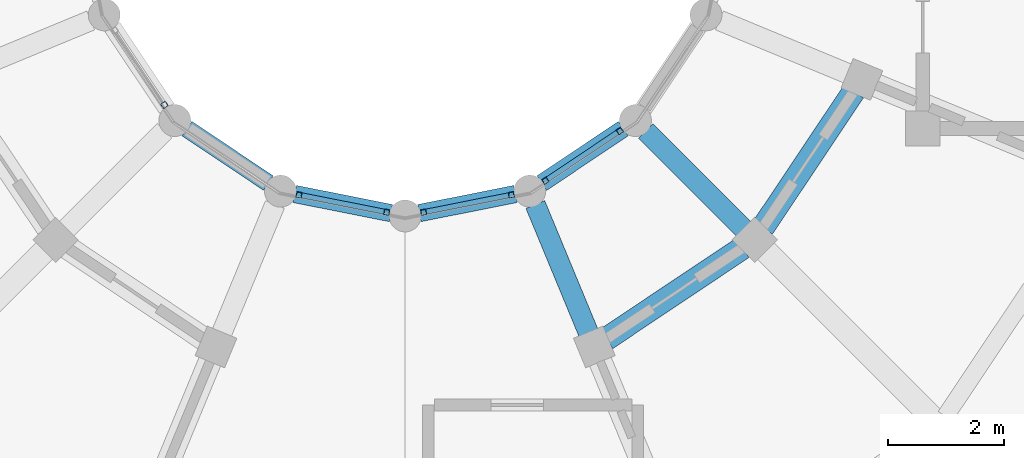
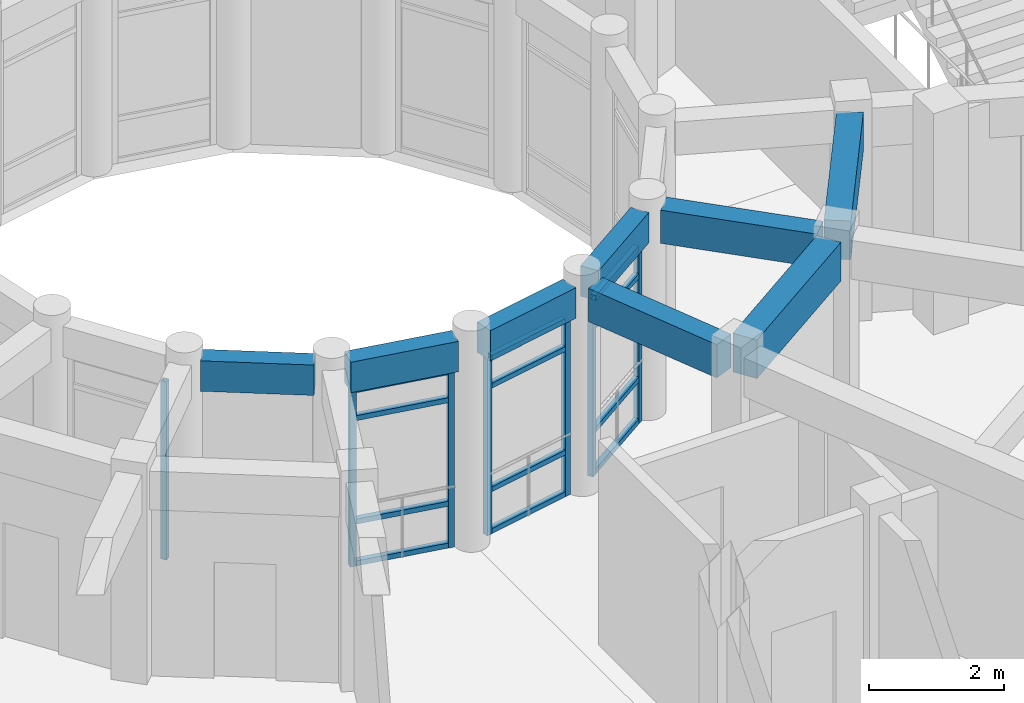
# One storey, part 55 of 159: 19 members, 8 beams, 4 elements without a shape of their own.
"""IFC4 building model written with IfcOpenShell, lengths in metres."""

from ifc_helpers import new_model, si_unit, direction, frame, origin, origin_2d, place, context, subcontext, project, spatial, rectangle, hollow_rectangle, extrude, material, material_profile, profile_set, type_object, element, aggregate, save


model = new_model("IFC4")

# Units and contexts
model_context = context("Model", 3, precision=1e-05, world=origin(), true_north=direction((0.0, 1.0)))
body_context = subcontext(model_context, "Body", "Model", "MODEL_VIEW")
ifc_project = project(units=[si_unit("LENGTHUNIT", "METRE"), si_unit("AREAUNIT", "SQUARE_METRE"), si_unit("VOLUMEUNIT", "CUBIC_METRE"), si_unit("PLANEANGLEUNIT", "RADIAN"), si_unit("MASSUNIT", "GRAM", prefix="KILO")], contexts=[model_context])

# Site, building, storey
site_placement = place(None, origin())
site = spatial("IfcSite", under=ifc_project, at=site_placement, CompositionType="ELEMENT")
building_placement = place(site_placement, origin())
building = spatial("IfcBuilding", under=site, at=building_placement, Name="Celadon Cloister-Ring School", CompositionType="ELEMENT")
storey_placement = place(building_placement, frame((0.0, 0.0, 4.5)))
storey = spatial("IfcBuildingStorey", under=building, at=storey_placement, Name="L01", CompositionType="ELEMENT", Elevation=4.5)

# Beams
ifc_material_1 = material(Name="Concrete C35/45", Category="concrete")
ifc_material_profile_1 = material_profile(ifc_material_1, rectangle(XDim=0.35009765625, YDim=0.60009765625, at=origin_2d()), Name="RC350X600")
ifc_profile_set_1 = profile_set([ifc_material_profile_1], Name="Concrete C35/45")
beam_type_1 = type_object("IfcBeamType", Name="BT-02", PredefinedType="BEAM", material=ifc_profile_set_1)
beam_1_placement = place(storey_placement, frame((23.35693359375, 89.3779296875, 3.47998046875), z_axis=(-0.382555476978, 0.923932522988, 0.0), x_axis=(-0.923932522988, -0.382555476978, 0.0)))
element("IfcBeam", 1, at=beam_1_placement, inside=storey, type_object=beam_type_1, Name="Beam 0679", PredefinedType="BEAM", context=body_context, shape_type="SweptSolid", body=[
    extrude(rectangle(XDim=0.35009765625, YDim=0.60009765625, at=origin_2d()), origin(), (0.0, 0.0, 1.0), 2.399658203125),
])
beam_2_placement = place(storey_placement, frame((26.032958984375, 91.1669921875, 3.47998046875), z_axis=(-0.707106781187, 0.707106781187, 0.0), x_axis=(-0.707106781187, -0.707106781187, 0.0)))
element("IfcBeam", 2, at=beam_2_placement, inside=storey, type_object=beam_type_1, Name="Beam 0681", PredefinedType="BEAM", context=body_context, shape_type="SweptSolid", body=[
    extrude(rectangle(XDim=0.35009765625, YDim=0.60009765625, at=origin_2d()), origin(), (0.0, 0.0, 1.0), 2.398681640625),
])

# Curtain wall, member
ifc_material_2 = material(Name="Aluminium EN AW-6063 T6", Category="aluminium")
curtain_wall_type = type_object("IfcCurtainWallType", Name="CW-04", PredefinedType="USERDEFINED", material=ifc_material_2)
curtain_wall_1_placement = place(storey_placement, origin())
curtain_wall_1 = element("IfcCurtainWall", 3, at=curtain_wall_1_placement, inside=storey, type_object=curtain_wall_type, Name="Curtain Wall 0098", ObjectType="CURTAIN WALL", PredefinedType="USERDEFINED")
ifc_material_3 = material(Name="Aluminium EN AW-6063 T6", Category="aluminium")
ifc_material_profile_2 = material_profile(ifc_material_3, hollow_rectangle(XDim=0.094970703125, YDim=0.094970703125, WallThickness=0.00390625, at=origin_2d()), Name="RHS95X95X4")
ifc_profile_set_2 = profile_set([ifc_material_profile_2], Name="Aluminium EN AW-6063 T6")
member_type_1 = type_object("IfcMemberType", Name="CM-02", PredefinedType="MULLION", material=ifc_profile_set_2)
member_1_placement = place(storey_placement, frame((16.060546875, 93.30859375, 0.0), z_axis=(0.0, 0.0, 1.0), x_axis=(0.831485091394, 0.555547066224, 0.0)))
member_1 = element("IfcMember", 4, at=member_1_placement, type_object=member_type_1, Name="CW-04 mullion 2", PredefinedType="MULLION", context=body_context, shape_type="SweptSolid", body=[
    extrude(hollow_rectangle(XDim=0.094970703125, YDim=0.094970703125, WallThickness=0.00390625, at=origin_2d()), origin(), (0.0, 0.0, 1.0), 3.221923828125),
])
aggregate(curtain_wall_1, [member_1])

# Curtain wall, members
curtain_wall_2_placement = place(storey_placement, origin())
curtain_wall_2 = element("IfcCurtainWall", 5, at=curtain_wall_2_placement, inside=storey, type_object=curtain_wall_type, Name="Curtain Wall 0099", ObjectType="CURTAIN WALL", PredefinedType="USERDEFINED")
member_2_placement = place(storey_placement, frame((18.37353515625, 91.7626953125, 0.0), z_axis=(0.0, 0.0, 1.0), x_axis=(0.194586131301, 0.980885435464, 0.0)))
member_2 = element("IfcMember", 6, at=member_2_placement, type_object=member_type_1, Name="CW-04 mullion 1", PredefinedType="MULLION", context=body_context, shape_type="SweptSolid", body=[
    extrude(hollow_rectangle(XDim=0.094970703125, YDim=0.094970703125, WallThickness=0.00390625, at=origin_2d()), origin(), (0.0, 0.0, 1.0), 3.221923828125),
])
member_3_placement = place(storey_placement, frame((19.88330078125, 91.463134765625, 0.0), z_axis=(0.0, 0.0, 1.0), x_axis=(0.194586131301, 0.980885435464, 0.0)))
member_3 = element("IfcMember", 7, at=member_3_placement, type_object=member_type_1, Name="CW-04 mullion 2", PredefinedType="MULLION", context=body_context, shape_type="SweptSolid", body=[
    extrude(hollow_rectangle(XDim=0.094970703125, YDim=0.094970703125, WallThickness=0.00390625, at=origin_2d()), origin(), (0.0, 0.0, 1.0), 3.221923828125),
])

curtain_wall_3_placement = place(storey_placement, origin())
curtain_wall_3 = element("IfcCurtainWall", 8, at=curtain_wall_3_placement, inside=storey, type_object=curtain_wall_type, Name="Curtain Wall 0100", ObjectType="CURTAIN WALL", PredefinedType="USERDEFINED")
member_4_placement = place(storey_placement, frame((20.5166015625, 91.463134765625, 0.0), z_axis=(0.0, 0.0, 1.0), x_axis=(-0.194586131301, 0.980885435464, 0.0)))
member_4 = element("IfcMember", 9, at=member_4_placement, type_object=member_type_1, Name="CW-04 mullion 1", PredefinedType="MULLION", context=body_context, shape_type="SweptSolid", body=[
    extrude(hollow_rectangle(XDim=0.094970703125, YDim=0.094970703125, WallThickness=0.00390625, at=origin_2d()), origin(), (0.0, 0.0, 1.0), 3.221923828125),
])
member_5_placement = place(storey_placement, frame((22.0263671875, 91.7626953125, 0.0), z_axis=(0.0, 0.0, 1.0), x_axis=(-0.194586131301, 0.980885435464, 0.0)))
member_5 = element("IfcMember", 10, at=member_5_placement, type_object=member_type_1, Name="CW-04 mullion 2", PredefinedType="MULLION", context=body_context, shape_type="SweptSolid", body=[
    extrude(hollow_rectangle(XDim=0.094970703125, YDim=0.094970703125, WallThickness=0.00390625, at=origin_2d()), origin(), (0.0, 0.0, 1.0), 3.221923828125),
])

curtain_wall_4_placement = place(storey_placement, origin())
curtain_wall_4 = element("IfcCurtainWall", 11, at=curtain_wall_4_placement, inside=storey, type_object=curtain_wall_type, Name="Curtain Wall 0101", ObjectType="CURTAIN WALL", PredefinedType="USERDEFINED")
member_6_placement = place(storey_placement, frame((22.611572265625, 92.00537109375, 0.0), z_axis=(0.0, 0.0, 1.0), x_axis=(-0.555547066224, 0.831485091394, 0.0)))
member_6 = element("IfcMember", 12, at=member_6_placement, type_object=member_type_1, Name="CW-04 mullion 1", PredefinedType="MULLION", context=body_context, shape_type="SweptSolid", body=[
    extrude(hollow_rectangle(XDim=0.094970703125, YDim=0.094970703125, WallThickness=0.00390625, at=origin_2d()), origin(), (0.0, 0.0, 1.0), 3.221923828125),
])
member_7_placement = place(storey_placement, frame((23.8916015625, 92.860595703125, 0.0), z_axis=(0.0, 0.0, 1.0), x_axis=(-0.555547066224, 0.831485091394, 0.0)))
member_7 = element("IfcMember", 13, at=member_7_placement, type_object=member_type_1, Name="CW-04 mullion 2", PredefinedType="MULLION", context=body_context, shape_type="SweptSolid", body=[
    extrude(hollow_rectangle(XDim=0.094970703125, YDim=0.094970703125, WallThickness=0.00390625, at=origin_2d()), origin(), (0.0, 0.0, 1.0), 3.221923828125),
])

# Member
ifc_material_4 = material(Name="Aluminium EN AW-6063 T6", Category="aluminium")
ifc_material_profile_3 = material_profile(ifc_material_4, hollow_rectangle(XDim=0.090087890625, YDim=0.090087890625, WallThickness=0.00390625, at=origin_2d()), Name="RHS90X90X4")
ifc_profile_set_3 = profile_set([ifc_material_profile_3], Name="Aluminium EN AW-6063 T6")
member_type_2 = type_object("IfcMemberType", Name="CTM-02", PredefinedType="USERDEFINED", material=ifc_profile_set_3)
member_8_placement = place(storey_placement, frame((18.420166015625, 91.75341796875, 0.044921875), z_axis=(0.98089149302, -0.194555593394, 0.0), x_axis=(0.194555593394, 0.98089149302, 0.0)))
member_8 = element("IfcMember", 14, at=member_8_placement, type_object=member_type_2, Name="CW-04 transom 1.1", ObjectType="TRANSOM", PredefinedType="USERDEFINED", context=body_context, shape_type="SweptSolid", body=[
    extrude(hollow_rectangle(XDim=0.090087890625, YDim=0.090087890625, WallThickness=0.00390625, at=origin_2d()), origin(), (0.0, 0.0, 1.0), 1.4443359375),
])

member_9_placement = place(storey_placement, frame((18.420166015625, 91.75341796875, 0.800048828125), z_axis=(0.98089149302, -0.194555593394, 0.0), x_axis=(0.194555593394, 0.98089149302, 0.0)))
member_9 = element("IfcMember", 15, at=member_9_placement, type_object=member_type_2, Name="CW-04 transom 1.2", ObjectType="TRANSOM", PredefinedType="USERDEFINED", context=body_context, shape_type="SweptSolid", body=[
    extrude(hollow_rectangle(XDim=0.090087890625, YDim=0.090087890625, WallThickness=0.00390625, at=origin_2d()), origin(), (0.0, 0.0, 1.0), 1.4443359375),
])

member_10_placement = place(storey_placement, frame((18.420166015625, 91.75341796875, 2.672119140625), z_axis=(0.98089149302, -0.194555593394, 0.0), x_axis=(0.194555593394, 0.98089149302, 0.0)))
member_10 = element("IfcMember", 16, at=member_10_placement, type_object=member_type_2, Name="CW-04 transom 1.3", ObjectType="TRANSOM", PredefinedType="USERDEFINED", context=body_context, shape_type="SweptSolid", body=[
    extrude(hollow_rectangle(XDim=0.090087890625, YDim=0.090087890625, WallThickness=0.00390625, at=origin_2d()), origin(), (0.0, 0.0, 1.0), 1.4443359375),
])

member_11_placement = place(storey_placement, frame((18.420166015625, 91.75341796875, 3.177001953125), z_axis=(0.98089149302, -0.194555593394, 0.0), x_axis=(0.194555593394, 0.98089149302, 0.0)))
member_11 = element("IfcMember", 17, at=member_11_placement, type_object=member_type_2, Name="CW-04 transom 1.4", ObjectType="TRANSOM", PredefinedType="USERDEFINED", context=body_context, shape_type="SweptSolid", body=[
    extrude(hollow_rectangle(XDim=0.090087890625, YDim=0.090087890625, WallThickness=0.00390625, at=origin_2d()), origin(), (0.0, 0.0, 1.0), 1.4443359375),
])

aggregate(curtain_wall_2, [member_2, member_3, member_8, member_9, member_10, member_11])

member_12_placement = place(storey_placement, frame((20.563232421875, 91.472412109375, 0.044921875), z_axis=(0.980885093257, 0.194587856315, 0.0), x_axis=(-0.194587856315, 0.980885093257, 0.0)))
member_12 = element("IfcMember", 18, at=member_12_placement, type_object=member_type_2, Name="CW-04 transom 1.1", ObjectType="TRANSOM", PredefinedType="USERDEFINED", context=body_context, shape_type="SweptSolid", body=[
    extrude(hollow_rectangle(XDim=0.090087890625, YDim=0.090087890625, WallThickness=0.00390625, at=origin_2d()), origin(), (0.0, 0.0, 1.0), 1.444091796875),
])

member_13_placement = place(storey_placement, frame((20.563232421875, 91.472412109375, 0.800048828125), z_axis=(0.980885093257, 0.194587856315, 0.0), x_axis=(-0.194587856315, 0.980885093257, 0.0)))
member_13 = element("IfcMember", 19, at=member_13_placement, type_object=member_type_2, Name="CW-04 transom 1.2", ObjectType="TRANSOM", PredefinedType="USERDEFINED", context=body_context, shape_type="SweptSolid", body=[
    extrude(hollow_rectangle(XDim=0.090087890625, YDim=0.090087890625, WallThickness=0.00390625, at=origin_2d()), origin(), (0.0, 0.0, 1.0), 1.444091796875),
])

member_14_placement = place(storey_placement, frame((20.563232421875, 91.472412109375, 2.672119140625), z_axis=(0.980885093257, 0.194587856315, 0.0), x_axis=(-0.194587856315, 0.980885093257, 0.0)))
member_14 = element("IfcMember", 20, at=member_14_placement, type_object=member_type_2, Name="CW-04 transom 1.3", ObjectType="TRANSOM", PredefinedType="USERDEFINED", context=body_context, shape_type="SweptSolid", body=[
    extrude(hollow_rectangle(XDim=0.090087890625, YDim=0.090087890625, WallThickness=0.00390625, at=origin_2d()), origin(), (0.0, 0.0, 1.0), 1.444091796875),
])

member_15_placement = place(storey_placement, frame((20.563232421875, 91.472412109375, 3.177001953125), z_axis=(0.980885093257, 0.194587856315, 0.0), x_axis=(-0.194587856315, 0.980885093257, 0.0)))
member_15 = element("IfcMember", 21, at=member_15_placement, type_object=member_type_2, Name="CW-04 transom 1.4", ObjectType="TRANSOM", PredefinedType="USERDEFINED", context=body_context, shape_type="SweptSolid", body=[
    extrude(hollow_rectangle(XDim=0.090087890625, YDim=0.090087890625, WallThickness=0.00390625, at=origin_2d()), origin(), (0.0, 0.0, 1.0), 1.444091796875),
])

aggregate(curtain_wall_3, [member_4, member_5, member_12, member_13, member_14, member_15])

member_16_placement = place(storey_placement, frame((22.65087890625, 92.03173828125, 0.044921875), z_axis=(0.831503875559, 0.555518951009, 0.0), x_axis=(-0.555518951009, 0.831503875559, 0.0)))
member_16 = element("IfcMember", 22, at=member_16_placement, type_object=member_type_2, Name="CW-04 transom 1.1", ObjectType="TRANSOM", PredefinedType="USERDEFINED", context=body_context, shape_type="SweptSolid", body=[
    extrude(hollow_rectangle(XDim=0.090087890625, YDim=0.090087890625, WallThickness=0.00390625, at=origin_2d()), origin(), (0.0, 0.0, 1.0), 1.444580078125),
])

member_17_placement = place(storey_placement, frame((22.65087890625, 92.03173828125, 0.800048828125), z_axis=(0.831503875559, 0.555518951009, 0.0), x_axis=(-0.555518951009, 0.831503875559, 0.0)))
member_17 = element("IfcMember", 23, at=member_17_placement, type_object=member_type_2, Name="CW-04 transom 1.2", ObjectType="TRANSOM", PredefinedType="USERDEFINED", context=body_context, shape_type="SweptSolid", body=[
    extrude(hollow_rectangle(XDim=0.090087890625, YDim=0.090087890625, WallThickness=0.00390625, at=origin_2d()), origin(), (0.0, 0.0, 1.0), 1.444580078125),
])

member_18_placement = place(storey_placement, frame((22.65087890625, 92.03173828125, 2.672119140625), z_axis=(0.831503875559, 0.555518951009, 0.0), x_axis=(-0.555518951009, 0.831503875559, 0.0)))
member_18 = element("IfcMember", 24, at=member_18_placement, type_object=member_type_2, Name="CW-04 transom 1.3", ObjectType="TRANSOM", PredefinedType="USERDEFINED", context=body_context, shape_type="SweptSolid", body=[
    extrude(hollow_rectangle(XDim=0.090087890625, YDim=0.090087890625, WallThickness=0.00390625, at=origin_2d()), origin(), (0.0, 0.0, 1.0), 1.444580078125),
])

member_19_placement = place(storey_placement, frame((22.65087890625, 92.03173828125, 3.177001953125), z_axis=(0.831503875559, 0.555518951009, 0.0), x_axis=(-0.555518951009, 0.831503875559, 0.0)))
member_19 = element("IfcMember", 25, at=member_19_placement, type_object=member_type_2, Name="CW-04 transom 1.4", ObjectType="TRANSOM", PredefinedType="USERDEFINED", context=body_context, shape_type="SweptSolid", body=[
    extrude(hollow_rectangle(XDim=0.090087890625, YDim=0.090087890625, WallThickness=0.00390625, at=origin_2d()), origin(), (0.0, 0.0, 1.0), 1.444580078125),
])

aggregate(curtain_wall_4, [member_6, member_7, member_16, member_17, member_18, member_19])

# Beams
ifc_material_5 = material(Name="Concrete C35/45", Category="concrete")
ifc_material_profile_4 = material_profile(ifc_material_5, rectangle(XDim=0.39990234375, YDim=0.699951171875, at=origin_2d()), Name="RC400X700")
ifc_profile_set_4 = profile_set([ifc_material_profile_4], Name="Concrete C35/45")
beam_type_2 = type_object("IfcBeamType", Name="GT-03", PredefinedType="USERDEFINED", material=ifc_profile_set_4)
beam_3_placement = place(storey_placement, frame((23.660888671875, 89.285888671875, 3.429931640625), z_axis=(0.831315995752, 0.555800067657, 0.0), x_axis=(-0.555800067657, 0.831315995752, 0.0)))
element("IfcBeam", 26, at=beam_3_placement, inside=storey, type_object=beam_type_2, Name="Beam 0725", ObjectType="GIRDER", PredefinedType="USERDEFINED", context=body_context, shape_type="SweptSolid", body=[
    extrude(rectangle(XDim=0.39990234375, YDim=0.699951171875, at=origin_2d()), origin(), (0.0, 0.0, 1.0), 2.816162109375),
])
beam_4_placement = place(storey_placement, frame((26.34912109375, 91.197998046875, 3.429931640625), z_axis=(0.555740149771, 0.831356052442, 0.0), x_axis=(-0.831356052442, 0.555740149771, 0.0)))
element("IfcBeam", 27, at=beam_4_placement, inside=storey, type_object=beam_type_2, Name="Beam 0729", ObjectType="GIRDER", PredefinedType="USERDEFINED", context=body_context, shape_type="SweptSolid", body=[
    extrude(rectangle(XDim=0.39990234375, YDim=0.699951171875, at=origin_2d()), origin(), (0.0, 0.0, 1.0), 2.81591796875),
])
ifc_material_6 = material(Name="Concrete C35/45", Category="concrete")
ifc_material_profile_5 = material_profile(ifc_material_6, rectangle(XDim=0.300048828125, YDim=0.550048828125, at=origin_2d()), Name="RC300X550")
ifc_profile_set_5 = profile_set([ifc_material_profile_5], Name="Concrete C35/45")
beam_type_3 = type_object("IfcBeamType", Name="SP-02", PredefinedType="SPANDREL", material=ifc_profile_set_5)
beam_5_placement = place(storey_placement, frame((16.447998046875, 92.90087890625, 3.5048828125), z_axis=(0.831581859135, -0.555402207016, 0.0), x_axis=(0.555402207016, 0.831581859135, 0.0)))
element("IfcBeam", 28, at=beam_5_placement, inside=storey, type_object=beam_type_3, Name="Beam 0718", PredefinedType="SPANDREL", context=body_context, shape_type="SweptSolid", body=[
    extrude(rectangle(XDim=0.300048828125, YDim=0.550048828125, at=origin_2d()), origin(), (0.0, 0.0, 1.0), 1.684814453125),
])
beam_6_placement = place(storey_placement, frame((18.302001953125, 91.777099609375, 3.5048828125), z_axis=(0.980863799725, -0.194695162728, 0.0), x_axis=(0.194695162728, 0.980863799725, 0.0)))
element("IfcBeam", 29, at=beam_6_placement, inside=storey, type_object=beam_type_3, Name="Beam 0721", PredefinedType="SPANDREL", context=body_context, shape_type="SweptSolid", body=[
    extrude(rectangle(XDim=0.300048828125, YDim=0.550048828125, at=origin_2d()), origin(), (0.0, 0.0, 1.0), 1.685302734375),
])
beam_7_placement = place(storey_placement, frame((20.445068359375, 91.448974609375, 3.5048828125), z_axis=(0.980858307367, 0.194722830887, 0.0), x_axis=(-0.194722830887, 0.980858307367, 0.0)))
element("IfcBeam", 30, at=beam_7_placement, inside=storey, type_object=beam_type_3, Name="Beam 0723", PredefinedType="SPANDREL", context=body_context, shape_type="SweptSolid", body=[
    extrude(rectangle(XDim=0.300048828125, YDim=0.550048828125, at=origin_2d()), origin(), (0.0, 0.0, 1.0), 1.68505859375),
])
beam_8_placement = place(storey_placement, frame((22.551025390625, 91.965087890625, 3.5048828125), z_axis=(0.831537153477, 0.555469137204, 0.0), x_axis=(-0.555469137204, 0.831537153477, 0.0)))
element("IfcBeam", 31, at=beam_8_placement, inside=storey, type_object=beam_type_3, Name="Beam 0726", PredefinedType="SPANDREL", context=body_context, shape_type="SweptSolid", body=[
    extrude(rectangle(XDim=0.300048828125, YDim=0.550048828125, at=origin_2d()), origin(), (0.0, 0.0, 1.0), 1.6845703125),
])

save(model, "model.ifc")
